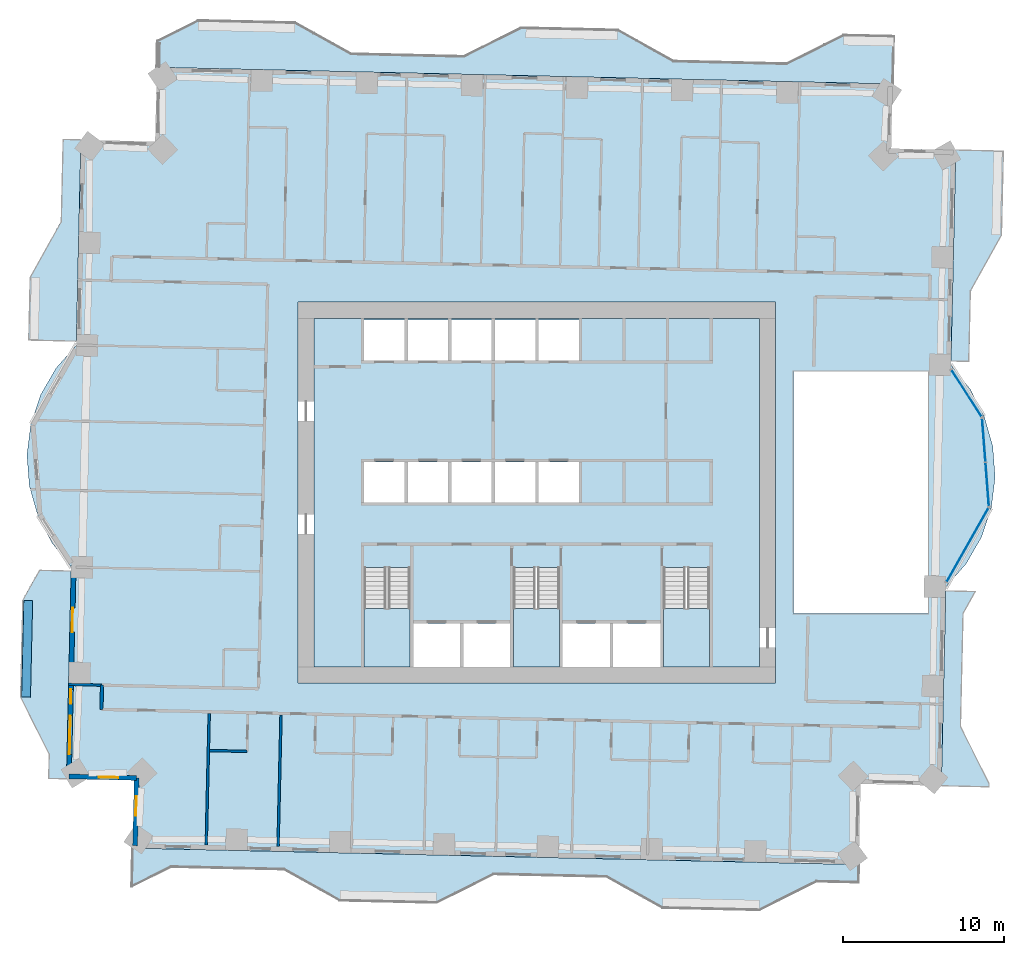
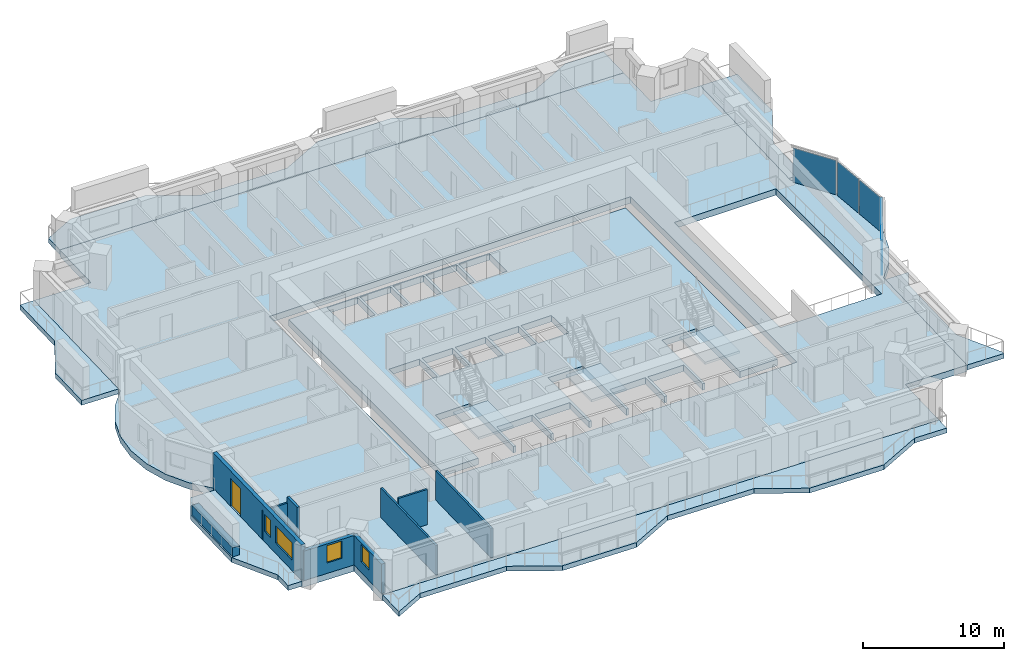
# One storey, part 5 of 16: 11 slabs, 9 walls, 4 plates, 4 windows, 1 door, 5 openings, 6 elements without a shape of their own.
"""IFC4 building model written with IfcOpenShell, lengths in metres."""

from ifc_helpers import new_model, si_unit, direction, frame, frame_2d, origin, origin_2d, place, context, subcontext, project, spatial, polyline, rectangle, outline, extrude, material, layer, layer_set, type_object, element, fill, aggregate, save


model = new_model("IFC4")

# Units and contexts
model_context = context("Model", 3, precision=1e-05, world=origin(), true_north=direction((0.0, 1.0)))
body_context = subcontext(model_context, "Body", "Model", "MODEL_VIEW")
ifc_project = project(units=[si_unit("LENGTHUNIT", "METRE"), si_unit("AREAUNIT", "SQUARE_METRE"), si_unit("VOLUMEUNIT", "CUBIC_METRE"), si_unit("PLANEANGLEUNIT", "RADIAN"), si_unit("MASSUNIT", "GRAM", prefix="KILO")], contexts=[model_context])

# Site, building, storey
site_placement = place(None, origin())
site = spatial("IfcSite", under=ifc_project, at=site_placement, CompositionType="ELEMENT")
building_placement = place(site_placement, origin())
building = spatial("IfcBuilding", under=site, at=building_placement, Name="Mangrove Gate Tower", CompositionType="ELEMENT")
storey_placement = place(building_placement, frame((0.0, 0.0, 116.300048828125)))
storey = spatial("IfcBuildingStorey", under=building, at=storey_placement, Name="L29", CompositionType="ELEMENT", Elevation=116.300048828125)

# Curtain wall, plate
ifc_material_1 = material(Name="Aluminium and glass curtain wall", Category="aluminium")
curtain_wall_type = type_object("IfcCurtainWallType", Name="Atrium garden-court glazing wall", PredefinedType="NOTDEFINED", material=ifc_material_1)
curtain_wall_1_placement = place(storey_placement, origin())
curtain_wall_1 = element("IfcCurtainWall", 1, at=curtain_wall_1_placement, inside=storey, type_object=curtain_wall_type, Name="Atrium garden-court glazing E1f1", PredefinedType="NOTDEFINED")
ifc_material_2 = material(Name="Laminated low-e glass", Category="glass")
ifc_layer_1 = layer(ifc_material_2, 0.031982421875)
ifc_layer_set_1 = layer_set([ifc_layer_1], Name="Atrium garden-court glazing panel 32")
plate_type = type_object("IfcPlateType", Name="Atrium garden-court glazing panel 32", PredefinedType="CURTAIN_PANEL", material=ifc_layer_set_1)
plate_1_placement = place(storey_placement, frame((26.68603515625, -3.244873046875, 0.0), z_axis=(0.0, 0.0, 1.0), x_axis=(0.492584614745, 0.870264555935, 0.0)))
plate_1 = element("IfcPlate", 2, at=plate_1_placement, type_object=plate_type, Name="CWA panel 1.1", PredefinedType="CURTAIN_PANEL", context=body_context, shape_type="SweptSolid", body=[
    extrude(rectangle(XDim=5.258056640625, YDim=0.031982421875, at=origin_2d()), origin(), (0.0, 0.0, 1.0), 2.97998046875),
])
aggregate(curtain_wall_1, [plate_1])

# Curtain wall, plates
curtain_wall_2_placement = place(storey_placement, origin())
curtain_wall_2 = element("IfcCurtainWall", 3, at=curtain_wall_2_placement, inside=storey, type_object=curtain_wall_type, Name="Atrium garden-court glazing E1f2", PredefinedType="NOTDEFINED")
plate_2_placement = place(storey_placement, frame((27.906982421875, 0.5107421875, 0.0), z_axis=(0.0, 0.0, 1.0), x_axis=(-0.077023348229, 0.997029289353, 0.0)))
plate_2 = element("IfcPlate", 4, at=plate_2_placement, type_object=plate_type, Name="CWA panel 1.1", PredefinedType="CURTAIN_PANEL", context=body_context, shape_type="SweptSolid", body=[
    extrude(rectangle(XDim=2.681640625, YDim=0.031982421875, at=origin_2d()), origin(), (0.0, 0.0, 1.0), 2.97998046875),
])
plate_3_placement = place(storey_placement, frame((27.69482421875, 3.25439453125, 0.0), z_axis=(0.0, 0.0, 1.0), x_axis=(-0.077023348229, 0.997029289353, 0.0)))
plate_3 = element("IfcPlate", 5, at=plate_3_placement, type_object=plate_type, Name="CWA panel 2.1", PredefinedType="CURTAIN_PANEL", context=body_context, shape_type="SweptSolid", body=[
    extrude(rectangle(XDim=2.681640625, YDim=0.031982421875, at=origin_2d()), origin(), (0.0, 0.0, 1.0), 2.97998046875),
])
aggregate(curtain_wall_2, [plate_2, plate_3])

# Curtain wall, plate
curtain_wall_3_placement = place(storey_placement, origin())
curtain_wall_3 = element("IfcCurtainWall", 6, at=curtain_wall_3_placement, inside=storey, type_object=curtain_wall_type, Name="Atrium garden-court glazing E1f3", PredefinedType="NOTDEFINED")
plate_4_placement = place(storey_placement, frame((26.621826171875, 6.162109375, 0.0), z_axis=(0.0, 0.0, 1.0), x_axis=(-0.540510523896, 0.841337253162, 0.0)))
plate_4 = element("IfcPlate", 7, at=plate_4_placement, type_object=plate_type, Name="CWA panel 1.1", PredefinedType="CURTAIN_PANEL", context=body_context, shape_type="SweptSolid", body=[
    extrude(rectangle(XDim=3.428466796875, YDim=0.031982421875, at=origin_2d()), origin(), (0.0, 0.0, 1.0), 2.97998046875),
])
aggregate(curtain_wall_3, [plate_4])

# Slabs
ifc_material_3 = material(Name="Porcelain tile")
ifc_layer_2 = layer(ifc_material_3, 0.02001953125, Name="Tile finish")
ifc_material_4 = material(Name="Cement sand screed")
ifc_layer_3 = layer(ifc_material_4, 0.0400390625, Name="Screed laid to falls")
ifc_material_5 = material(Name="Bituminous waterproofing membrane")
ifc_layer_4 = layer(ifc_material_5, 0.00390625, Name="Waterproofing")
ifc_material_6 = material(Name="Concrete C40/50", Category="concrete")
ifc_layer_5 = layer(ifc_material_6, 0.340087890625, Name="Balcony structural slab")
ifc_material_7 = material(Name="Limestone", Category="masonry")
ifc_layer_6 = layer(ifc_material_7, 0.01611328125, Name="Soffit lining")
ifc_layer_set_2 = layer_set([ifc_layer_2, ifc_layer_3, ifc_layer_4, ifc_layer_5, ifc_layer_6], Name="Balcony slab 420 C40/50")
slab_type_1 = type_object("IfcSlabType", Name="Balcony slab 420 C40/50", PredefinedType="FLOOR", material=ifc_layer_set_2)
slab_1_placement = place(storey_placement, frame((0.0, 0.0, -0.420166015625)))
element("IfcSlab", 8, at=slab_1_placement, inside=storey, type_object=slab_type_1, Name="BALCONY L29 E0", PredefinedType="FLOOR", context=body_context, shape_type="SweptSolid", body=[
    extrude(outline(polyline([(28.051025390625, -18.22802734375), (28.054931640625, -18.028076171875), (26.284912109375, -14.487060546875), (26.444091796875, -7.489013671875), (27.201904296875, -6.131103515625), (25.3349609375, -6.087890625), (25.303955078125, -7.462890625), (25.14501953125, -14.4609375), (25.06591796875, -17.9599609375), (25.06103515625, -18.159912109375), (28.051025390625, -18.22802734375)])), origin(), (0.0, 0.0, 1.0), 0.420166015625),
])
slab_2_placement = place(storey_placement, frame((0.0, 0.0, -0.420166015625)))
element("IfcSlab", 9, at=slab_2_placement, inside=storey, type_object=slab_type_1, Name="BALCONY L29 E1", PredefinedType="FLOOR", context=body_context, shape_type="SweptSolid", body=[
    extrude(outline(polyline([(26.798095703125, 8.133056640625), (26.89794921875, 12.506103515625), (28.826904296875, 15.962890625), (28.945068359375, 21.162109375), (25.955078125, 21.22998046875), (25.8369140625, 16.031005859375), (25.758056640625, 12.531982421875), (25.658935546875, 8.158935546875), (26.798095703125, 8.133056640625)])), origin(), (0.0, 0.0, 1.0), 0.420166015625),
])
slab_3_placement = place(storey_placement, frame((0.0, 0.0, -0.420166015625)))
element("IfcSlab", 10, at=slab_3_placement, inside=storey, type_object=slab_type_1, Name="BALCONY L29 N0", PredefinedType="FLOOR", context=body_context, shape_type="SweptSolid", body=[
    extrude(outline(polyline([(22.114990234375, 28.30908203125), (19.011962890625, 28.37890625), (15.470947265625, 26.60888671875), (8.471923828125, 26.76806640625), (5.014892578125, 28.697021484375), (-0.98291015625, 28.8330078125), (-4.52392578125, 27.06396484375), (-11.52197265625, 27.221923828125), (-14.97998046875, 29.15087890625), (-20.97802734375, 29.287109375), (-23.510986328125, 28.02001953125), (-23.549072265625, 26.35400390625), (22.047119140625, 25.320068359375), (22.114990234375, 28.30908203125)])), origin(), (0.0, 0.0, 1.0), 0.420166015625),
])
slab_4_placement = place(storey_placement, frame((0.0, 0.0, -0.420166015625)))
element("IfcSlab", 11, at=slab_4_placement, inside=storey, type_object=slab_type_1, Name="BALCONY L29 W0", PredefinedType="FLOOR", context=body_context, shape_type="SweptSolid", body=[
    extrude(outline(polyline([(-29.39208984375, 21.885986328125), (-29.508056640625, 16.787109375), (-31.43701171875, 13.330078125), (-31.52490234375, 9.4560546875), (-28.534912109375, 9.387939453125), (-28.447021484375, 13.261962890625), (-28.367919921875, 16.760986328125), (-28.251953125, 21.860107421875), (-29.39208984375, 21.885986328125)])), origin(), (0.0, 0.0, 1.0), 0.420166015625),
])
slab_5_placement = place(storey_placement, frame((0.0, 0.0, -0.420166015625)))
element("IfcSlab", 12, at=slab_5_placement, inside=storey, type_object=slab_type_1, Name="BALCONY L29 W1", PredefinedType="FLOOR", context=body_context, shape_type="SweptSolid", body=[
    extrude(outline(polyline([(-30.85693359375, -4.81298828125), (-31.889892578125, -6.6650390625), (-32.027099609375, -12.6630859375), (-30.256103515625, -16.2041015625), (-30.2900390625, -17.7041015625), (-29.15087890625, -17.72998046875), (-29.116943359375, -16.22998046875), (-29.037109375, -12.73095703125), (-28.90087890625, -6.73291015625), (-28.85888671875, -4.85888671875), (-30.85693359375, -4.81298828125)])), origin(), (0.0, 0.0, 1.0), 0.420166015625),
])
slab_6_placement = place(storey_placement, frame((0.0, 0.0, -0.420166015625)))
element("IfcSlab", 13, at=slab_6_placement, inside=storey, type_object=slab_type_1, Name="BALCONY L29 S0", PredefinedType="FLOOR", context=body_context, shape_type="SweptSolid", body=[
    extrude(outline(polyline([(-25.10205078125, -24.43408203125), (-22.669921875, -23.218017578125), (-15.6708984375, -23.376953125), (-12.214111328125, -25.305908203125), (-6.216064453125, -25.44189453125), (-2.675048828125, -23.672119140625), (4.322998046875, -23.8310546875), (7.781005859375, -25.760009765625), (13.779052734375, -25.89599609375), (17.320068359375, -24.126953125), (19.923095703125, -24.18505859375), (19.948974609375, -23.044921875), (-25.047119140625, -22.02392578125), (-25.10205078125, -24.43408203125)])), origin(), (0.0, 0.0, 1.0), 0.420166015625),
])
ifc_material_8 = material(Name="Concrete C40/50", Category="concrete")
ifc_layer_7 = layer(ifc_material_8, 0.550048828125)
ifc_layer_set_3 = layer_set([ifc_layer_7], Name="Core floor slab 550 C40/50")
slab_type_2 = type_object("IfcSlabType", Name="Core floor slab 550 C40/50", PredefinedType="FLOOR", material=ifc_layer_set_3)
slab_7_placement = place(storey_placement, frame((0.0, 0.0, -0.550048828125)))
element("IfcSlab", 14, at=slab_7_placement, inside=storey, type_object=slab_type_2, Name="SLAB-L29-CORE-1", PredefinedType="FLOOR", context=body_context, shape_type="SweptSolid", body=[
    extrude(outline(polyline([(-13.800048828125, -10.800048828125), (-13.800048828125, 10.800048828125), (13.800048828125, 10.800048828125), (13.800048828125, -10.800048828125), (10.699951171875, -10.800048828125), (10.699951171875, -4.653076171875), (7.85009765625, -4.653076171875), (7.85009765625, -10.800048828125), (7.64990234375, -10.800048828125), (7.64990234375, -8.10009765625), (4.72509765625, -8.10009765625), (4.72509765625, -10.800048828125), (4.52490234375, -10.800048828125), (4.52490234375, -8.10009765625), (1.60009765625, -8.10009765625), (1.60009765625, -10.800048828125), (1.39990234375, -10.800048828125), (1.39990234375, -4.653076171875), (-1.449951171875, -4.653076171875), (-1.449951171875, -10.800048828125), (-1.64990234375, -10.800048828125), (-1.64990234375, -8.10009765625), (-4.550048828125, -8.10009765625), (-4.550048828125, -10.800048828125), (-4.75, -10.800048828125), (-4.75, -8.10009765625), (-7.64990234375, -8.10009765625), (-7.64990234375, -10.800048828125), (-7.85009765625, -10.800048828125), (-7.85009765625, -4.653076171875), (-10.699951171875, -4.653076171875), (-10.699951171875, -10.800048828125), (-13.800048828125, -10.800048828125)]), holes=[polyline([(-8.199951171875, -0.60009765625), (-8.199951171875, 1.89990234375), (-10.699951171875, 1.89990234375), (-10.699951171875, -0.60009765625), (-8.199951171875, -0.60009765625)]), polyline([(-5.5, -0.60009765625), (-5.5, 1.89990234375), (-8.0, 1.89990234375), (-8.0, -0.60009765625), (-5.5, -0.60009765625)]), polyline([(-2.800048828125, -0.60009765625), (-2.800048828125, 1.89990234375), (-5.300048828125, 1.89990234375), (-5.300048828125, -0.60009765625), (-2.800048828125, -0.60009765625)]), polyline([(-8.199951171875, 8.199951171875), (-8.199951171875, 10.699951171875), (-10.699951171875, 10.699951171875), (-10.699951171875, 8.199951171875), (-8.199951171875, 8.199951171875)]), polyline([(-5.5, 8.199951171875), (-5.5, 10.699951171875), (-8.0, 10.699951171875), (-8.0, 8.199951171875), (-5.5, 8.199951171875)]), polyline([(-2.800048828125, 8.199951171875), (-2.800048828125, 10.699951171875), (-5.300048828125, 10.699951171875), (-5.300048828125, 8.199951171875), (-2.800048828125, 8.199951171875)]), polyline([(-0.10009765625, -0.60009765625), (-0.10009765625, 1.89990234375), (-2.60009765625, 1.89990234375), (-2.60009765625, -0.60009765625), (-0.10009765625, -0.60009765625)]), polyline([(2.60009765625, -0.60009765625), (2.60009765625, 1.89990234375), (0.10009765625, 1.89990234375), (0.10009765625, -0.60009765625), (2.60009765625, -0.60009765625)]), polyline([(-2.60009765625, 8.199951171875), (-0.10009765625, 8.199951171875), (-0.10009765625, 10.699951171875), (-2.60009765625, 10.699951171875), (-2.60009765625, 8.199951171875)]), polyline([(0.10009765625, 8.199951171875), (2.60009765625, 8.199951171875), (2.60009765625, 10.699951171875), (0.10009765625, 10.699951171875), (0.10009765625, 8.199951171875)])]), origin(), (0.0, 0.0, 1.0), 0.550048828125),
])

# Stair, slab
ifc_material_9 = material(Name="Concrete C40/50", Category="concrete")
stair_type = type_object("IfcStairType", Name="Core stair 1350", PredefinedType="HALF_TURN_STAIR", material=ifc_material_9)
stair_1_placement = place(storey_placement, origin())
stair_1 = element("IfcStair", 15, at=stair_1_placement, inside=storey, type_object=stair_type, Name="L29 Stair 1", PredefinedType="HALF_TURN_STAIR")
ifc_material_10 = material(Name="Concrete C40/50", Category="concrete")
ifc_layer_8 = layer(ifc_material_10, 0.199951171875)
ifc_layer_set_4 = layer_set([ifc_layer_8], Name="Core stair landing 200")
slab_type_3 = type_object("IfcSlabType", Name="Core stair landing 200", PredefinedType="LANDING", material=ifc_layer_set_4)
slab_8_placement = place(storey_placement, frame((0.0, 0.0, 1.599853515625)))
slab_8 = element("IfcSlab", 16, at=slab_8_placement, type_object=slab_type_3, Name="ST1 landing 1", PredefinedType="LANDING", context=body_context, shape_type="SweptSolid", body=[
    extrude(outline(polyline([(-10.699951171875, -7.169921875), (-10.699951171875, -10.800048828125), (-7.85009765625, -10.800048828125), (-7.85009765625, -7.169921875), (-10.699951171875, -7.169921875)])), origin(), (0.0, 0.0, 1.0), 0.2001953125),
])
aggregate(stair_1, [slab_8])

stair_2_placement = place(storey_placement, origin())
stair_2 = element("IfcStair", 17, at=stair_2_placement, inside=storey, type_object=stair_type, Name="L29 Stair 2", PredefinedType="HALF_TURN_STAIR")
slab_9_placement = place(storey_placement, frame((0.0, 0.0, 1.599853515625)))
slab_9 = element("IfcSlab", 18, at=slab_9_placement, type_object=slab_type_3, Name="ST2 landing 1", PredefinedType="LANDING", context=body_context, shape_type="SweptSolid", body=[
    extrude(outline(polyline([(-1.449951171875, -7.169921875), (-1.449951171875, -10.800048828125), (1.39990234375, -10.800048828125), (1.39990234375, -7.169921875), (-1.449951171875, -7.169921875)])), origin(), (0.0, 0.0, 1.0), 0.2001953125),
])
aggregate(stair_2, [slab_9])

stair_3_placement = place(storey_placement, origin())
stair_3 = element("IfcStair", 19, at=stair_3_placement, inside=storey, type_object=stair_type, Name="L29 Stair 3", PredefinedType="HALF_TURN_STAIR")
slab_10_placement = place(storey_placement, frame((0.0, 0.0, 1.599853515625)))
slab_10 = element("IfcSlab", 20, at=slab_10_placement, type_object=slab_type_3, Name="ST3 landing 1", PredefinedType="LANDING", context=body_context, shape_type="SweptSolid", body=[
    extrude(outline(polyline([(7.85009765625, -7.169921875), (7.85009765625, -10.800048828125), (10.699951171875, -10.800048828125), (10.699951171875, -7.169921875), (7.85009765625, -7.169921875)])), origin(), (0.0, 0.0, 1.0), 0.2001953125),
])
aggregate(stair_3, [slab_10])

# Slab
ifc_material_11 = material(Name="Concrete C40/50", Category="concrete")
ifc_layer_9 = layer(ifc_material_11, 0.550048828125)
ifc_layer_set_5 = layer_set([ifc_layer_9], Name="Floor slab 550 C40/50")
slab_type_4 = type_object("IfcSlabType", Name="Floor slab 550 C40/50", PredefinedType="FLOOR", material=ifc_layer_set_5)
slab_11_placement = place(storey_placement, frame((0.0, 0.0, -0.550048828125)))
element("IfcSlab", 21, at=slab_11_placement, inside=storey, type_object=slab_type_4, Name="Floor slab L29", PredefinedType="FLOOR", context=body_context, shape_type="SweptSolid", body=[
    extrude(outline(polyline([(-25.047119140625, -22.024169921875), (19.94921875, -23.045166015625), (20.062744140625, -18.046630859375), (25.0615234375, -18.159912109375), (25.341064453125, -5.83837890625), (26.60400390625, -4.40185546875), (27.55712890625, -2.74365234375), (28.16259765625, -0.92919921875), (28.396240234375, 0.96923828125), (28.2490234375, 2.87646484375), (27.7265625, 4.71630859375), (26.849609375, 6.416259765625), (25.653076171875, 7.90869140625), (25.955322265625, 21.22998046875), (21.956298828125, 21.320556640625), (22.047119140625, 25.319580078125), (-23.549072265625, 26.354248046875), (-23.653564453125, 21.755615234375), (-28.25244140625, 21.85986328125), (-28.541015625, 9.138427734375), (-29.803955078125, 7.701904296875), (-30.757080078125, 6.043701171875), (-31.362548828125, 4.229248046875), (-31.59619140625, 2.330810546875), (-31.448974609375, 0.423583984375), (-30.926513671875, -1.41650390625), (-30.049560546875, -3.1162109375), (-28.85302734375, -4.608642578125), (-29.15087890625, -17.72998046875), (-24.951904296875, -17.8251953125), (-25.047119140625, -22.024169921875)]), holes=[polyline([(15.89990234375, 7.5), (24.22705078125, 7.5), (24.22705078125, -7.5), (15.89990234375, -7.5), (15.89990234375, 7.5)]), polyline([(-14.800048828125, -11.800048828125), (-14.800048828125, 11.800048828125), (14.800048828125, 11.800048828125), (14.800048828125, -11.800048828125), (-14.800048828125, -11.800048828125)])]), origin(), (0.0, 0.0, 1.0), 0.550048828125),
])

# Wall
ifc_material_12 = material(Name="Gypsum board on steel stud, EI 60", Category="steel")
ifc_layer_10 = layer(ifc_material_12, 0.199951171875)
ifc_layer_set_6 = layer_set([ifc_layer_10], Name="Corridor wall EI 60")
wall_type_1 = type_object("IfcWallType", Name="Corridor wall EI 60", PredefinedType="PARTITIONING", material=ifc_layer_set_6)
wall_1_placement = place(storey_placement, frame((-26.97900390625, -13.427978515625, 0.0), z_axis=(0.0, 0.0, 1.0), x_axis=(0.022617910375, 0.999744182344, 0.0)))
element("IfcWall", 22, at=wall_1_placement, inside=storey, type_object=wall_type_1, Name="WALL-L29-025", PredefinedType="PARTITIONING", context=body_context, shape_type="SweptSolid", body=[
    extrude(rectangle(XDim=1.50048828125, YDim=0.199951171875, at=frame_2d((0.750244140625, 0.0))), origin(), (0.0, 0.0, 1.0), 3.050048828125),
])

# Wall, openings, door, windows
ifc_layer_11 = layer(ifc_material_7, 0.0400390625, Name="Limestone cladding")
ifc_material_13 = material(Name="Ventilated air gap")
ifc_layer_12 = layer(ifc_material_13, 0.0400390625, Name="Ventilated cavity")
ifc_material_14 = material(Name="Mineral wool insulation")
ifc_layer_13 = layer(ifc_material_14, 0.06005859375, Name="Insulation")
ifc_material_15 = material(Name="Breather membrane")
ifc_layer_14 = layer(ifc_material_15, 0.001953125, Name="Breather membrane")
ifc_material_16 = material(Name="Concrete C20/25 blockwork", Category="masonry")
ifc_layer_15 = layer(ifc_material_16, 0.14990234375, Name="Blockwork backing wall")
ifc_material_17 = material(Name="Gypsum plaster")
ifc_layer_16 = layer(ifc_material_17, 0.008056640625, Name="Internal plaster")
ifc_layer_set_7 = layer_set([ifc_layer_11, ifc_layer_12, ifc_layer_13, ifc_layer_14, ifc_layer_15, ifc_layer_16], Name="External wall 300 limestone cladding")
wall_type_2 = type_object("IfcWallType", Name="External wall 300 limestone cladding", PredefinedType="SOLIDWALL", material=ifc_layer_set_7)
wall_2_placement = place(storey_placement, frame((-28.701904296875, -4.556884765625, 0.0), z_axis=(0.0, 0.0, 1.0), x_axis=(-0.022653729471, -0.999743371341, 0.0)))
wall_2 = element("IfcWall", 23, at=wall_2_placement, inside=storey, type_object=wall_type_2, Name="WALL-L29-W10", PredefinedType="SOLIDWALL", context=body_context, shape_type="SweptSolid", body=[
    extrude(rectangle(XDim=13.029541015625, YDim=0.300048828125, at=frame_2d((6.5146484375, 0.0))), origin(), (0.0, 0.0, 1.0), 3.050048828125),
])
opening_1_placement = place(wall_2_placement, frame((2.5859375, 0.0, 0.0)))
opening_1 = element("IfcOpeningElement", 24, at=opening_1_placement, cuts=wall_2, Name="Opening BD1", PredefinedType="OPENING", context=body_context, shape_type="SweptSolid", body=[
    extrude(rectangle(XDim=1.5, YDim=2.39990234375, at=frame_2d((0.75, 1.199951171875))), frame((0.0, 0.159912109375, 0.0), z_axis=(0.0, -1.0, 0.0), x_axis=(1.0, 0.0, 0.0)), (0.0, 0.0, 1.0), 0.320068359375),
])
opening_2_placement = place(wall_2_placement, frame((7.62890625, 0.0, 0.89990234375)))
opening_2 = element("IfcOpeningElement", 25, at=opening_2_placement, cuts=wall_2, Name="Opening W5", PredefinedType="OPENING", context=body_context, shape_type="SweptSolid", body=[
    extrude(rectangle(XDim=0.89990234375, YDim=1.5, at=frame_2d((0.449951171875, 0.75))), frame((0.0, 0.159912109375, 0.0), z_axis=(0.0, -1.0, 0.0), x_axis=(1.0, 0.0, 0.0)), (0.0, 0.0, 1.0), 0.320068359375),
])
opening_3_placement = place(wall_2_placement, frame((9.256103515625, 0.0, 0.89990234375)))
opening_3 = element("IfcOpeningElement", 26, at=opening_3_placement, cuts=wall_2, Name="Opening W2", PredefinedType="OPENING", context=body_context, shape_type="SweptSolid", body=[
    extrude(rectangle(XDim=2.39990234375, YDim=1.5, at=frame_2d((1.199951171875, 0.75))), frame((0.0, 0.159912109375, 0.0), z_axis=(0.0, -1.0, 0.0), x_axis=(1.0, 0.0, 0.0)), (0.0, 0.0, 1.0), 0.320068359375),
])
ifc_material_18 = material(Name="Aluminium frame with laminated clear glass", Category="aluminium")
door_type = type_object("IfcDoorType", Name="Balcony sliding door 1500x2400", OperationType="SLIDING_TO_LEFT", PredefinedType="DOOR", material=ifc_material_18)
door_placement = place(opening_1_placement, origin())
door = element("IfcDoor", 27, at=door_placement, inside=storey, type_object=door_type, Name="DOOR-L29-W10-1", OperationType="SLIDING_TO_LEFT", OverallHeight=2.39990234375, OverallWidth=1.5, PredefinedType="DOOR", context=body_context, shape_type="SweptSolid", body=[
    extrude(rectangle(XDim=1.5, YDim=2.39990234375, at=frame_2d((0.75, 1.199951171875))), frame((0.0, 0.02490234375, 0.0), z_axis=(0.0, -1.0, 0.0), x_axis=(1.0, 0.0, 0.0)), (0.0, 0.0, 1.0), 0.050048828125),
])
fill(opening_1, door)
ifc_material_19 = material(Name="Aluminium frame with double-glazed low-e glass", Category="aluminium")
window_type_1 = type_object("IfcWindowType", Name="Corner room window 2400x1500", PartitioningType="DOUBLE_PANEL_VERTICAL", PredefinedType="WINDOW", material=ifc_material_19)
window_1_placement = place(opening_3_placement, origin())
window_1 = element("IfcWindow", 28, at=window_1_placement, inside=storey, type_object=window_type_1, Name="WIN-L29-W10-3", OverallHeight=1.5, OverallWidth=2.39990234375, PartitioningType="DOUBLE_PANEL_VERTICAL", PredefinedType="WINDOW", context=body_context, shape_type="SweptSolid", body=[
    extrude(rectangle(XDim=2.39990234375, YDim=1.5, at=frame_2d((1.199951171875, 0.75))), frame((0.0, 0.030029296875, 0.0), z_axis=(0.0, -1.0, 0.0), x_axis=(1.0, 0.0, 0.0)), (0.0, 0.0, 1.0), 0.06005859375),
])
fill(opening_3, window_1)
ifc_material_20 = material(Name="Aluminium frame with double-glazed low-e glass", Category="aluminium")
window_type_2 = type_object("IfcWindowType", Name="Narrow window 900x1500", PartitioningType="SINGLE_PANEL", PredefinedType="WINDOW", material=ifc_material_20)
window_2_placement = place(opening_2_placement, origin())
window_2 = element("IfcWindow", 29, at=window_2_placement, inside=storey, type_object=window_type_2, Name="WIN-L29-W10-2", OverallHeight=1.5, OverallWidth=0.89990234375, PartitioningType="SINGLE_PANEL", PredefinedType="WINDOW", context=body_context, shape_type="SweptSolid", body=[
    extrude(rectangle(XDim=0.89990234375, YDim=1.5, at=frame_2d((0.449951171875, 0.75))), frame((0.0, 0.030029296875, 0.0), z_axis=(0.0, -1.0, 0.0), x_axis=(1.0, 0.0, 0.0)), (0.0, 0.0, 1.0), 0.06005859375),
])
fill(opening_2, window_2)

# Wall, opening, window
wall_3_placement = place(storey_placement, frame((-28.9970703125, -17.5830078125, 0.0), z_axis=(0.0, 0.0, 1.0), x_axis=(0.999739037152, -0.022844202663, 0.0)))
wall_3 = element("IfcWall", 30, at=wall_3_placement, inside=storey, type_object=wall_type_2, Name="WALL-L29-S11", PredefinedType="SOLIDWALL", context=body_context, shape_type="SweptSolid", body=[
    extrude(rectangle(XDim=4.199951171875, YDim=0.300048828125, at=frame_2d((2.10009765625, 0.0))), origin(), (0.0, 0.0, 1.0), 2.550048828125),
])
opening_4_placement = place(wall_3_placement, frame((1.862060546875, 0.0, 0.89990234375)))
opening_4 = element("IfcOpeningElement", 31, at=opening_4_placement, cuts=wall_3, Name="Opening W1", PredefinedType="OPENING", context=body_context, shape_type="SweptSolid", body=[
    extrude(rectangle(XDim=1.199951171875, YDim=1.5, at=frame_2d((0.60009765625, 0.75))), frame((0.0, 0.159912109375, 0.0), z_axis=(0.0, -1.0, 0.0), x_axis=(1.0, 0.0, 0.0)), (0.0, 0.0, 1.0), 0.320068359375),
])
ifc_material_21 = material(Name="Aluminium frame with double-glazed low-e glass", Category="aluminium")
window_type_3 = type_object("IfcWindowType", Name="Side lite 1200x1500", PartitioningType="SINGLE_PANEL", PredefinedType="WINDOW", material=ifc_material_21)
window_3_placement = place(opening_4_placement, origin())
window_3 = element("IfcWindow", 32, at=window_3_placement, inside=storey, type_object=window_type_3, Name="WIN-L29-S11-1", OverallHeight=1.5, OverallWidth=1.199951171875, PartitioningType="SINGLE_PANEL", PredefinedType="WINDOW", context=body_context, shape_type="SweptSolid", body=[
    extrude(rectangle(XDim=1.199951171875, YDim=1.5, at=frame_2d((0.60009765625, 0.75))), frame((0.0, 0.030029296875, 0.0), z_axis=(0.0, -1.0, 0.0), x_axis=(1.0, 0.0, 0.0)), (0.0, 0.0, 1.0), 0.06005859375),
])
fill(opening_4, window_3)

wall_4_placement = place(storey_placement, frame((-24.798095703125, -17.678955078125, 0.0), z_axis=(0.0, 0.0, 1.0), x_axis=(-0.022844202663, -0.999739037152, 0.0)))
wall_4 = element("IfcWall", 33, at=wall_4_placement, inside=storey, type_object=wall_type_2, Name="WALL-L29-W12", PredefinedType="SOLIDWALL", context=body_context, shape_type="SweptSolid", body=[
    extrude(rectangle(XDim=4.199951171875, YDim=0.300048828125, at=frame_2d((2.10009765625, 0.0))), origin(), (0.0, 0.0, 1.0), 2.550048828125),
])
opening_5_placement = place(wall_4_placement, frame((1.138916015625, 0.0, 0.89990234375)))
opening_5 = element("IfcOpeningElement", 34, at=opening_5_placement, cuts=wall_4, Name="Opening W1", PredefinedType="OPENING", context=body_context, shape_type="SweptSolid", body=[
    extrude(rectangle(XDim=1.199951171875, YDim=1.5, at=frame_2d((0.60009765625, 0.75))), frame((0.0, 0.159912109375, 0.0), z_axis=(0.0, -1.0, 0.0), x_axis=(1.0, 0.0, 0.0)), (0.0, 0.0, 1.0), 0.320068359375),
])
window_4_placement = place(opening_5_placement, origin())
window_4 = element("IfcWindow", 35, at=window_4_placement, inside=storey, type_object=window_type_3, Name="WIN-L29-W12-1", OverallHeight=1.5, OverallWidth=1.199951171875, PartitioningType="SINGLE_PANEL", PredefinedType="WINDOW", context=body_context, shape_type="SweptSolid", body=[
    extrude(rectangle(XDim=1.199951171875, YDim=1.5, at=frame_2d((0.60009765625, 0.75))), frame((0.0, 0.030029296875, 0.0), z_axis=(0.0, -1.0, 0.0), x_axis=(1.0, 0.0, 0.0)), (0.0, 0.0, 1.0), 0.06005859375),
])
fill(opening_5, window_4)

# Walls
ifc_material_22 = material(Name="Gypsum board on steel stud, EI 60", Category="steel")
ifc_layer_17 = layer(ifc_material_22, 0.14990234375)
ifc_layer_set_8 = layer_set([ifc_layer_17], Name="Party wall 150 EI 60")
wall_type_3 = type_object("IfcWallType", Name="Party wall 150 EI 60", PredefinedType="PARTITIONING", material=ifc_layer_set_8)
for number, where, z_axis, x_axis, name in (
    (36, (-20.488037109375, -21.827880859375, 0.0), (0.0, 0.0, 1.0), (0.022706435224, 0.999742175663, 0.0), "WALL-L29-001"),
    (37, (-16.0390625, -21.928955078125, 0.0), (0.0, 0.0, 1.0), (0.022706435224, 0.999742175663, 0.0), "WALL-L29-002"),
):
    element("IfcWall", number, at=place(storey_placement, frame(where, z_axis=z_axis, x_axis=x_axis)), inside=storey, type_object=wall_type_3, Name=name, PredefinedType="PARTITIONING", context=body_context, shape_type="SweptSolid", body=[
        extrude(rectangle(XDim=8.150146484375, YDim=0.14990234375, at=frame_2d((4.0751953125, 0.0))), origin(), (0.0, 0.0, 1.0), 2.550048828125),
    ])
wall_5_placement = place(storey_placement, frame((-20.283935546875, -15.98095703125, 0.0), z_axis=(0.0, 0.0, 1.0), x_axis=(0.999749954681, -0.022361308448, 0.0)))
element("IfcWall", 38, at=wall_5_placement, inside=storey, type_object=wall_type_3, Name="WALL-L29-010", PredefinedType="PARTITIONING", context=body_context, shape_type="SweptSolid", body=[
    extrude(rectangle(XDim=2.325439453125, YDim=0.14990234375, at=frame_2d((1.16259765625, 0.0))), origin(), (0.0, 0.0, 1.0), 3.050048828125),
])
wall_6_placement = place(storey_placement, frame((-29.01806640625, -11.881103515625, 0.0), z_axis=(0.0, 0.0, 1.0), x_axis=(0.999734999765, -0.02302021381, 0.0)))
element("IfcWall", 39, at=wall_6_placement, inside=storey, type_object=wall_type_3, Name="WALL-L29-028", PredefinedType="PARTITIONING", context=body_context, shape_type="SweptSolid", body=[
    extrude(rectangle(XDim=2.07861328125, YDim=0.14990234375, at=frame_2d((1.039306640625, 0.0))), origin(), (0.0, 0.0, 1.0), 2.550048828125),
])
ifc_material_23 = material(Name="Concrete C32/40", Category="concrete")
ifc_layer_18 = layer(ifc_material_23, 0.199951171875, Name="Planter trough wall")
ifc_layer_19 = layer(ifc_material_5, 0.0048828125, Name="Waterproofing")
ifc_material_24 = material(Name="Drainage board and gravel")
ifc_layer_20 = layer(ifc_material_24, 0.044921875, Name="Drainage layer")
ifc_material_25 = material(Name="Planting soil")
ifc_layer_21 = layer(ifc_material_25, 0.300048828125, Name="Growing medium")
ifc_layer_set_9 = layer_set([ifc_layer_18, ifc_layer_19, ifc_layer_20, ifc_layer_21], Name="Planter wall 550 C32/40")
wall_type_4 = type_object("IfcWallType", Name="Planter wall 550 C32/40", PredefinedType="USERDEFINED", material=ifc_layer_set_9)
wall_7_placement = place(storey_placement, frame((-31.652099609375, -12.672119140625, 0.0), z_axis=(0.0, 0.0, 1.0), x_axis=(0.022662255828, 0.999743178102, 0.0)))
element("IfcWall", 40, at=wall_7_placement, inside=storey, type_object=wall_type_4, Name="PLANTER L29 W1.1", ObjectType="PLANTER", PredefinedType="USERDEFINED", context=body_context, shape_type="SweptSolid", body=[
    extrude(rectangle(XDim=6.00048828125, YDim=0.550048828125, at=frame_2d((3.000244140625, 0.0))), origin(), (0.0, 0.0, 1.0), 0.800048828125),
])

save(model, "model.ifc")
